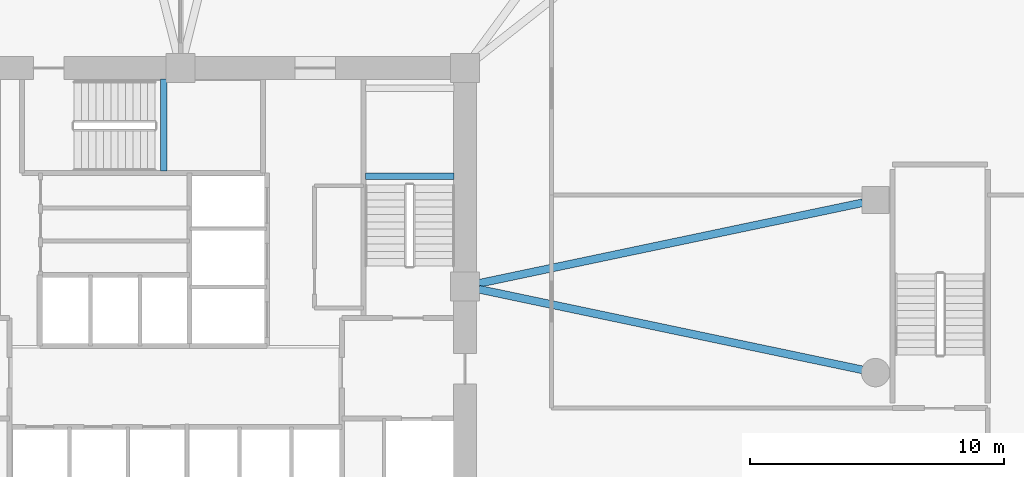
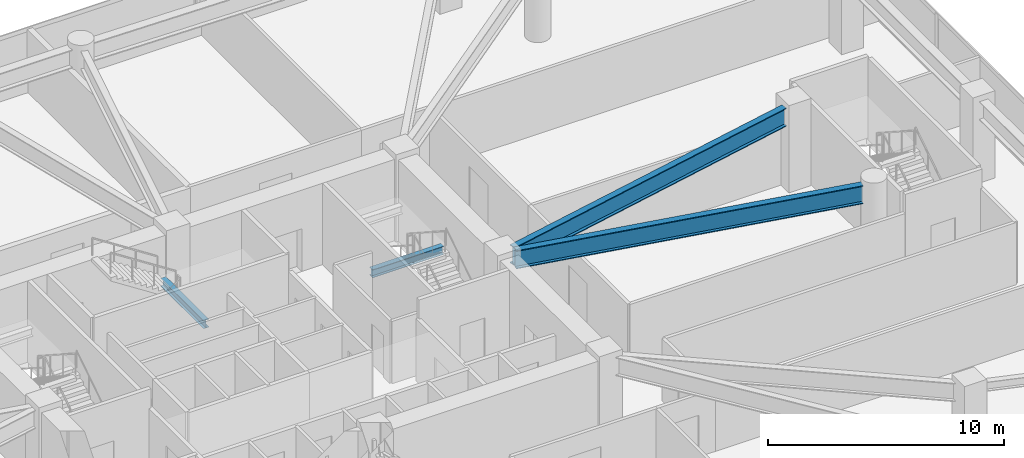
# One storey, part 5 of 21: 4 beams.
"""IFC4 building model written with IfcOpenShell, lengths in metres."""

from ifc_helpers import new_model, si_unit, derived_unit, direction, frame, origin, origin_2d, place, context, subcontext, project, spatial, i_section, extrude, material, material_profile, profile_set, type_object, element, save


model = new_model("IFC4")

# Units and contexts
model_context = context("Model", 3, precision=1e-05, world=origin(), true_north=direction((0.0, 1.0)))
body_context = subcontext(model_context, "Body", "Model", "MODEL_VIEW")
ifc_project = project(units=[si_unit("LENGTHUNIT", "METRE"), si_unit("AREAUNIT", "SQUARE_METRE"), si_unit("VOLUMEUNIT", "CUBIC_METRE"), si_unit("PLANEANGLEUNIT", "RADIAN"), si_unit("MASSUNIT", "GRAM", prefix="KILO"), derived_unit("THERMALTRANSMITTANCEUNIT", [(si_unit("POWERUNIT", "WATT"), 1), (si_unit("LENGTHUNIT", "METRE"), -2), (si_unit("THERMODYNAMICTEMPERATUREUNIT", "KELVIN"), -1)])], contexts=[model_context])

# Site, building, storey
site_placement = place(None, origin())
site = spatial("IfcSite", under=ifc_project, at=site_placement, CompositionType="ELEMENT")
building_placement = place(site_placement, origin())
building = spatial("IfcBuilding", under=site, at=building_placement, Name="Koralith Skygarden Medical Center", CompositionType="ELEMENT")
storey_placement = place(building_placement, frame((0.0, 0.0, 9.89990234375)))
storey = spatial("IfcBuildingStorey", under=building, at=storey_placement, Name="L02", CompositionType="ELEMENT", Elevation=9.89990234375)

# Beams
ifc_material = material(Name="Steel ASTM A992 Grade 50", Category="steel")
ifc_material_profile_1 = material_profile(ifc_material, i_section(OverallWidth=0.260009765625, OverallDepth=0.4150390625, WebThickness=0.010009765625, FlangeThickness=0.016845703125, at=origin_2d()), Name="W16X67")
ifc_profile_set_1 = profile_set([ifc_material_profile_1], Name="Steel ASTM A992 Grade 50")
beam_type_1 = type_object("IfcBeamType", Name="Clinical Floor Joist W16X67", PredefinedType="JOIST", material=ifc_profile_set_1)
beam_1_placement = place(storey_placement, frame((44.280029296875, 30.239990234375, 1.843017578125), z_axis=(1.0, 0.0, 0.0), x_axis=(0.0, 1.0, 0.0)))
element("IfcBeam", 1, at=beam_1_placement, inside=storey, type_object=beam_type_1, Name="L02 Stair ST2 Half-Landing Support Beam 1A", PredefinedType="JOIST", context=body_context, shape_type="SweptSolid", body=[
    extrude(i_section(OverallWidth=0.260009765625, OverallDepth=0.4150390625, WebThickness=0.010009765625, FlangeThickness=0.016845703125, at=origin_2d()), origin(), (0.0, 0.0, 1.0), 3.489990234375),
])
beam_2_placement = place(storey_placement, frame((36.340087890625, 30.43994140625, 1.843017578125), z_axis=(0.0, 1.0, 0.0), x_axis=(-1.0, 0.0, 0.0)))
element("IfcBeam", 2, at=beam_2_placement, inside=storey, type_object=beam_type_1, Name="L02 Stair ST3 Half-Landing Support Beam 1A", PredefinedType="JOIST", context=body_context, shape_type="SweptSolid", body=[
    extrude(i_section(OverallWidth=0.260009765625, OverallDepth=0.4150390625, WebThickness=0.010009765625, FlangeThickness=0.016845703125, at=origin_2d()), origin(), (0.0, 0.0, 1.0), 3.630126953125),
])
ifc_material_profile_2 = material_profile(ifc_material, i_section(OverallWidth=0.30810546875, OverallDepth=0.943115234375, WebThickness=0.022216796875, FlangeThickness=0.039794921875, at=origin_2d()), Name="W36X232")
ifc_profile_set_2 = profile_set([ifc_material_profile_2], Name="Steel ASTM A992 Grade 50")
beam_type_2 = type_object("IfcBeamType", Name="Surgical Platform Girder W36X232", PredefinedType="BEAM", material=ifc_profile_set_2)
for number, where, z_axis, x_axis, name in (
    (3, (48.748046875, 25.784912109375, 3.72802734375), (0.978625652149, -0.205649782288, 0.0), (0.205649782288, 0.978625652149, 0.0), "L02 Podium Radial Girder PRG-08"),
    (4, (48.748046875, 26.014892578125, 3.72802734375), (0.978622472518, 0.205664912619, 0.0), (-0.205664912619, 0.978622472518, 0.0), "L02 Podium Radial Girder PRG-09"),
):
    element("IfcBeam", number, at=place(storey_placement, frame(where, z_axis=z_axis, x_axis=x_axis)), inside=storey, type_object=beam_type_2, Name=name, PredefinedType="BEAM", context=body_context, shape_type="SweptSolid", body=[
        extrude(i_section(OverallWidth=0.30810546875, OverallDepth=0.943115234375, WebThickness=0.022216796875, FlangeThickness=0.039794921875, at=origin_2d()), origin(), (0.0, 0.0, 1.0), 15.453369140625),
    ])

save(model, "model.ifc")
